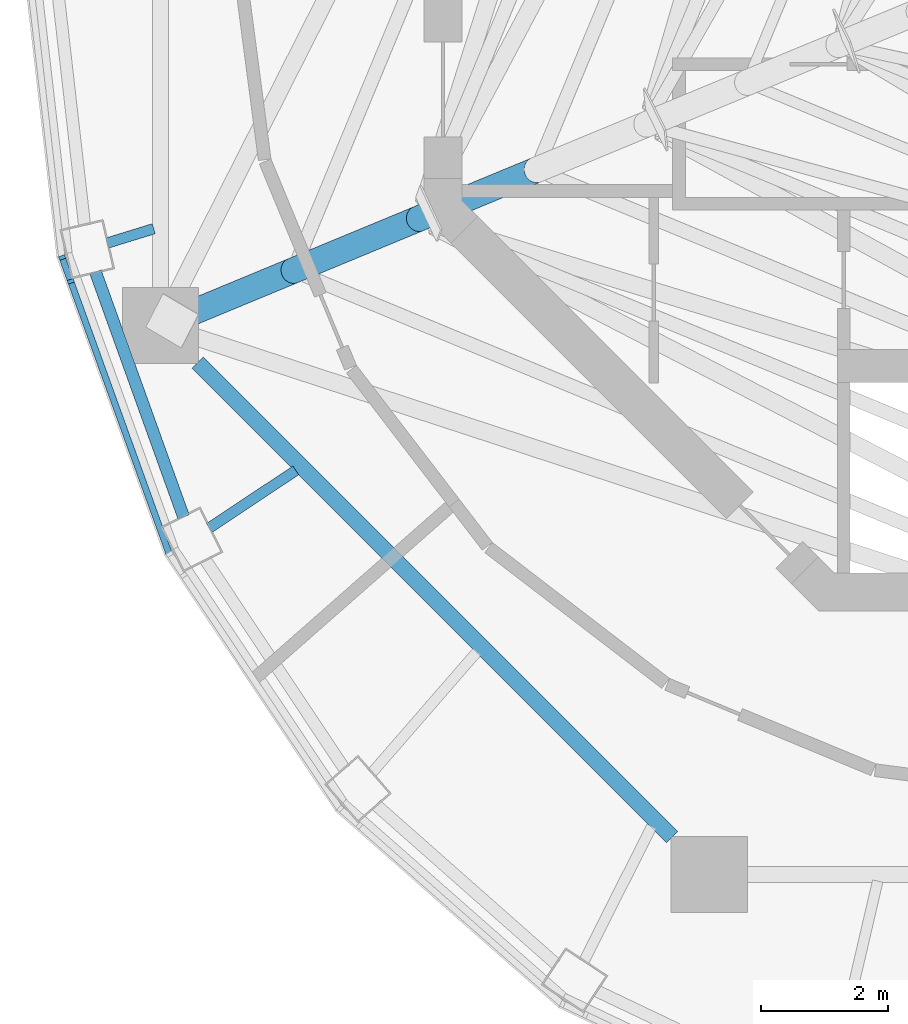
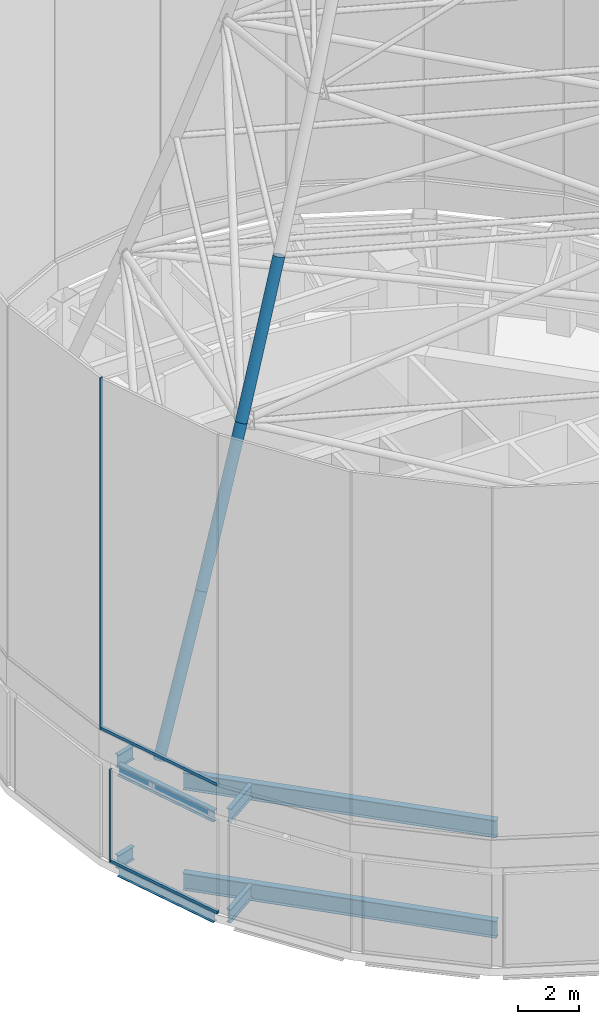
# One storey, part 3 of 25: 8 beams, 7 members, 2 elements without a shape of their own.
"""IFC4 building model written with IfcOpenShell, lengths in metres."""

from ifc_helpers import new_model, si_unit, direction, frame, origin, origin_2d, place, context, subcontext, project, spatial, rectangle, hollow_circle, i_section, extrude, material, layer, layer_set, material_profile, profile_set, type_object, element, aggregate, save


model = new_model("IFC4")

# Units and contexts
model_context = context("Model", 3, precision=1e-05, world=origin(), true_north=direction((0.0, 1.0)))
body_context = subcontext(model_context, "Body", "Model", "MODEL_VIEW")
ifc_project = project(units=[si_unit("LENGTHUNIT", "METRE"), si_unit("AREAUNIT", "SQUARE_METRE"), si_unit("VOLUMEUNIT", "CUBIC_METRE"), si_unit("PLANEANGLEUNIT", "RADIAN"), si_unit("MASSUNIT", "GRAM", prefix="KILO")], contexts=[model_context])

# Site, building, storey
site_placement = place(None, origin())
site = spatial("IfcSite", under=ifc_project, at=site_placement, CompositionType="ELEMENT")
building_placement = place(site_placement, origin())
building = spatial("IfcBuilding", under=site, at=building_placement, Name="Nagisa Residences", CompositionType="ELEMENT")
storey_placement = place(building_placement, frame((0.0, 0.0, 340.89990234375)))
storey = spatial("IfcBuildingStorey", under=building, at=storey_placement, Name="L84", CompositionType="ELEMENT", Elevation=340.89990234375)

# Curtain wall, member
ifc_material_1 = material(Name="Aluminium curtain wall system", Category="aluminium")
ifc_layer = layer(ifc_material_1, 0.159912109375)
ifc_layer_set = layer_set([ifc_layer], Name="CW5 CURTAIN WALL")
curtain_wall_type = type_object("IfcCurtainWallType", Name="CW5 CURTAIN WALL", PredefinedType="NOTDEFINED", material=ifc_layer_set)
curtain_wall_1_placement = place(storey_placement, origin())
curtain_wall_1 = element("IfcCurtainWall", 1, at=curtain_wall_1_placement, inside=storey, type_object=curtain_wall_type, Name="cw:CW5:L84:13", PredefinedType="NOTDEFINED")
ifc_material_2 = material(Name="Aluminium", Category="aluminium")
ifc_material_profile_1 = material_profile(ifc_material_2, rectangle(XDim=0.10009765625, YDim=0.06005859375, at=origin_2d()), Name="CW5 MULLION 100x60")
ifc_profile_set_1 = profile_set([ifc_material_profile_1], Name="Aluminium")
member_type_1 = type_object("IfcMemberType", Name="CW5 MULLION 100x60", PredefinedType="MULLION", material=ifc_profile_set_1)
member_1_placement = place(storey_placement, frame((-16.199462890625, -5.42431640625, 0.0), z_axis=(0.0, 0.0, 1.0), x_axis=(0.940554456033, 0.339642923136, 0.0)))
member_1 = element("IfcMember", 2, at=member_1_placement, type_object=member_type_1, Name="CW5 mullion", PredefinedType="MULLION", context=body_context, shape_type="SweptSolid", body=[
    extrude(rectangle(XDim=0.10009765625, YDim=0.06005859375, at=origin_2d()), origin(), (0.0, 0.0, 1.0), 3.7001953125),
])

curtain_wall_2_placement = place(storey_placement, origin())
curtain_wall_2 = element("IfcCurtainWall", 3, at=curtain_wall_2_placement, inside=storey, type_object=curtain_wall_type, Name="cw:CW5:L84:top0:13", PredefinedType="NOTDEFINED")
member_2_placement = place(storey_placement, frame((-16.335205078125, -5.048095703125, 5.10009765625), z_axis=(0.0, 0.0, 1.0), x_axis=(0.940554456033, 0.339642923136, 0.0)))
member_2 = element("IfcMember", 4, at=member_2_placement, type_object=member_type_1, Name="CW5 mullion", PredefinedType="MULLION", context=body_context, shape_type="SweptSolid", body=[
    extrude(rectangle(XDim=0.10009765625, YDim=0.06005859375, at=origin_2d()), origin(), (0.0, 0.0, 1.0), 14.0),
])

# Member
ifc_material_3 = material(Name="Aluminium", Category="aluminium")
ifc_material_profile_2 = material_profile(ifc_material_3, rectangle(XDim=0.10009765625, YDim=0.1201171875, at=origin_2d()), Name="CW5 TRANSOM 100x120")
ifc_profile_set_2 = profile_set([ifc_material_profile_2], Name="Aluminium")
member_type_2 = type_object("IfcMemberType", Name="CW5 TRANSOM 100x120", PredefinedType="USERDEFINED", material=ifc_profile_set_2)
member_3_placement = place(storey_placement, frame((-16.209716796875, -5.39599609375, 0.06005859375), z_axis=(0.339645767878, -0.940553428766, 0.0), x_axis=(0.940553428766, 0.339645767878, 0.0)))
member_3 = element("IfcMember", 5, at=member_3_placement, type_object=member_type_2, Name="CW5 transom", ObjectType="TRANSOM", PredefinedType="USERDEFINED", context=body_context, shape_type="SweptSolid", body=[
    extrude(rectangle(XDim=0.10009765625, YDim=0.1201171875, at=origin_2d()), origin(), (0.0, 0.0, 1.0), 4.600341796875),
])

aggregate(curtain_wall_1, [member_1, member_3])

member_4_placement = place(storey_placement, frame((-16.345458984375, -5.019775390625, 5.16015625), z_axis=(0.339625267064, -0.940560831617, 0.0), x_axis=(0.940560831617, 0.339625267064, 0.0)))
member_4 = element("IfcMember", 6, at=member_4_placement, type_object=member_type_2, Name="CW5 transom", ObjectType="TRANSOM", PredefinedType="USERDEFINED", context=body_context, shape_type="SweptSolid", body=[
    extrude(rectangle(XDim=0.10009765625, YDim=0.1201171875, at=origin_2d()), origin(), (0.0, 0.0, 1.0), 5.000244140625),
])

aggregate(curtain_wall_2, [member_2, member_4])

# Beams
ifc_material_4 = material(Name="Steel ASTM A572 Gr 50", Category="steel")
ifc_material_profile_3 = material_profile(ifc_material_4, i_section(OverallWidth=0.2529296875, OverallDepth=0.677978515625, WebThickness=0.01171875, FlangeThickness=0.016357421875, at=origin_2d()), Name="W690x125")
ifc_profile_set_3 = profile_set([ifc_material_profile_3], Name="Steel ASTM A572 Gr 50")
beam_type_1 = type_object("IfcBeamType", Name="Inner ring beam W690x125", PredefinedType="BEAM", material=ifc_profile_set_3)
for number, where, z_axis, x_axis, name in (
    (7, (-14.1962890625, -6.708740234375, -0.638916015625), (0.707106781187, -0.707106781187, 0.0), (0.707106781187, 0.707106781187, 0.0), "beam:L84:ib5"),
    (8, (-14.1962890625, -6.708740234375, 3.361083984375), (0.707106781187, -0.707106781187, 0.0), (0.707106781187, 0.707106781187, 0.0), "beam:L84:rib5"),
):
    element("IfcBeam", number, at=place(storey_placement, frame(where, z_axis=z_axis, x_axis=x_axis)), inside=storey, type_object=beam_type_1, Name=name, PredefinedType="BEAM", context=body_context, shape_type="SweptSolid", body=[
        extrude(i_section(OverallWidth=0.2529296875, OverallDepth=0.677978515625, WebThickness=0.01171875, FlangeThickness=0.016357421875, at=origin_2d()), origin(), (0.0, 0.0, 1.0), 10.589111328125),
    ])

# Members
ifc_material_5 = material(Name="Steel ASTM A572 Gr 50", Category="steel")
ifc_material_profile_4 = material_profile(ifc_material_5, hollow_circle(Radius=0.203125, WallThickness=0.01611328125, at=origin_2d()), Name="MAST LEG CHS 406.4x16")
ifc_profile_set_4 = profile_set([ifc_material_profile_4], Name="Steel ASTM A572 Gr 50")
member_type_3 = type_object("IfcMemberType", Name="MAST LEG CHS 406.4x16", PredefinedType="CHORD", material=ifc_profile_set_4)
member_5_placement = place(storey_placement, frame((-14.781982421875, -6.123046875, 4.0), z_axis=(0.351832029823, 0.145748429527, 0.924646753134), x_axis=(-0.382716673376, 0.923865762933, 0.0)))
element("IfcMember", 9, at=member_5_placement, inside=storey, type_object=member_type_3, Name="Mast leg 3 segment 1", PredefinedType="CHORD", context=body_context, shape_type="SweptSolid", body=[
    extrude(hollow_circle(Radius=0.203125, WallThickness=0.01611328125, at=origin_2d()), origin(), (0.0, 0.0, 1.0), 5.9482421875),
])
member_6_placement = place(storey_placement, frame((-12.689208984375, -5.256103515625, 9.5), z_axis=(0.335395040699, 0.138931057061, 0.931776973346), x_axis=(-0.382697263049, 0.923873803533, 0.0)))
element("IfcMember", 10, at=member_6_placement, inside=storey, type_object=member_type_3, Name="Mast leg 3 segment 2", PredefinedType="CHORD", context=body_context, shape_type="SweptSolid", body=[
    extrude(hollow_circle(Radius=0.203125, WallThickness=0.01611328125, at=origin_2d()), origin(), (0.0, 0.0, 1.0), 5.902587890625),
])
member_7_placement = place(storey_placement, frame((-10.70947265625, -4.43603515625, 15.0), z_axis=(0.317517391622, 0.131517312665, 0.939087803396), x_axis=(-0.382676733532, 0.92388230723, 0.0)))
element("IfcMember", 11, at=member_7_placement, inside=storey, type_object=member_type_3, Name="Mast leg 3 segment 3", PredefinedType="CHORD", context=body_context, shape_type="SweptSolid", body=[
    extrude(hollow_circle(Radius=0.203125, WallThickness=0.01611328125, at=origin_2d()), origin(), (0.0, 0.0, 1.0), 5.856689453125),
])

# Beams
ifc_material_6 = material(Name="Steel ASTM A572 Gr 50", Category="steel")
ifc_material_profile_5 = material_profile(ifc_material_6, i_section(OverallWidth=0.18994140625, OverallDepth=0.45703125, WebThickness=0.009033203125, FlangeThickness=0.014404296875, at=origin_2d()), Name="W460x74")
ifc_profile_set_5 = profile_set([ifc_material_profile_5], Name="Steel ASTM A572 Gr 50")
beam_type_2 = type_object("IfcBeamType", Name="Perimeter ring beam W460x74", PredefinedType="BEAM", material=ifc_profile_set_5)
for number, where, z_axis, x_axis, name in (
    (12, (-15.808349609375, -5.277587890625, -0.5283203125), (0.338517252251, -0.940960185092, 0.0), (0.940960185092, 0.338517252251, 0.0), "beam:L84:pb14"),
    (13, (-15.808349609375, -5.277587890625, 3.4716796875), (0.338517252251, -0.940960185092, 0.0), (0.940960185092, 0.338517252251, 0.0), "beam:L84:rpb14"),
):
    element("IfcBeam", number, at=place(storey_placement, frame(where, z_axis=z_axis, x_axis=x_axis)), inside=storey, type_object=beam_type_2, Name=name, PredefinedType="BEAM", context=body_context, shape_type="SweptSolid", body=[
        extrude(i_section(OverallWidth=0.18994140625, OverallDepth=0.45703125, WebThickness=0.009033203125, FlangeThickness=0.014404296875, at=origin_2d()), origin(), (0.0, 0.0, 1.0), 4.1044921875),
    ])
ifc_material_7 = material(Name="Steel ASTM A572 Gr 50", Category="steel")
ifc_material_profile_6 = material_profile(ifc_material_7, i_section(OverallWidth=0.166015625, OverallDepth=0.534912109375, WebThickness=0.01025390625, FlangeThickness=0.0166015625, at=origin_2d()), Name="W530x85")
ifc_profile_set_6 = profile_set([ifc_material_profile_6], Name="Steel ASTM A572 Gr 50")
beam_type_3 = type_object("IfcBeamType", Name="Radial beam W530x85", PredefinedType="BEAM", material=ifc_profile_set_6)
beam_1_placement = place(storey_placement, frame((-15.62158203125, -4.820068359375, -0.5673828125), z_axis=(0.955489220567, 0.295026014753, 0.0), x_axis=(-0.295026014753, 0.955489220567, 0.0)))
element("IfcBeam", 14, at=beam_1_placement, inside=storey, type_object=beam_type_3, Name="beam:L84:rb14", PredefinedType="BEAM", context=body_context, shape_type="SweptSolid", body=[
    extrude(i_section(OverallWidth=0.166015625, OverallDepth=0.534912109375, WebThickness=0.01025390625, FlangeThickness=0.0166015625, at=origin_2d()), origin(), (0.0, 0.0, 1.0), 0.766357421875),
])
beam_2_placement = place(storey_placement, frame((-14.012451171875, -9.31591796875, -0.5673828125), z_axis=(0.832714310154, 0.553702878505, 0.0), x_axis=(-0.553702878505, 0.832714310154, 0.0)))
element("IfcBeam", 15, at=beam_2_placement, inside=storey, type_object=beam_type_3, Name="beam:L84:rb15", PredefinedType="BEAM", context=body_context, shape_type="SweptSolid", body=[
    extrude(i_section(OverallWidth=0.166015625, OverallDepth=0.534912109375, WebThickness=0.01025390625, FlangeThickness=0.0166015625, at=origin_2d()), origin(), (0.0, 0.0, 1.0), 1.638916015625),
])
beam_3_placement = place(storey_placement, frame((-15.62158203125, -4.820068359375, 3.4326171875), z_axis=(0.955489220567, 0.295026014753, 0.0), x_axis=(-0.295026014753, 0.955489220567, 0.0)))
element("IfcBeam", 16, at=beam_3_placement, inside=storey, type_object=beam_type_3, Name="beam:L84:rrb14", PredefinedType="BEAM", context=body_context, shape_type="SweptSolid", body=[
    extrude(i_section(OverallWidth=0.166015625, OverallDepth=0.534912109375, WebThickness=0.01025390625, FlangeThickness=0.0166015625, at=origin_2d()), origin(), (0.0, 0.0, 1.0), 0.766357421875),
])
beam_4_placement = place(storey_placement, frame((-14.012451171875, -9.31591796875, 3.4326171875), z_axis=(0.832714310154, 0.553702878505, 0.0), x_axis=(-0.553702878505, 0.832714310154, 0.0)))
element("IfcBeam", 17, at=beam_4_placement, inside=storey, type_object=beam_type_3, Name="beam:L84:rrb15", PredefinedType="BEAM", context=body_context, shape_type="SweptSolid", body=[
    extrude(i_section(OverallWidth=0.166015625, OverallDepth=0.534912109375, WebThickness=0.01025390625, FlangeThickness=0.0166015625, at=origin_2d()), origin(), (0.0, 0.0, 1.0), 1.638916015625),
])

save(model, "model.ifc")
